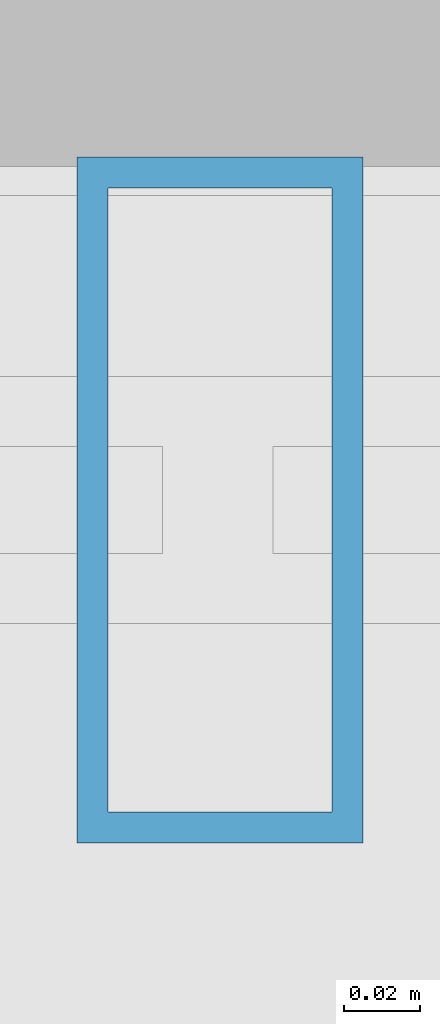
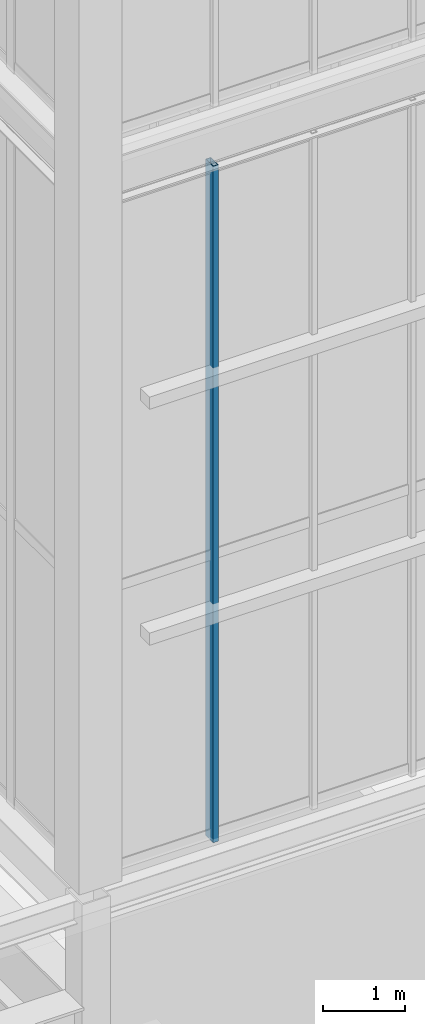
# One storey, part 32 of 135: 1 member, 1 element without a shape of its own.
"""IFC4 building model written with IfcOpenShell, lengths in metres."""

import ifcopenshell
import ifcopenshell.guid

model = None  # the IFC model being written
_history = None  # IfcOwnerHistory: only IFC2X3 demands one
_inside = {}  # id of a spatial element -> (the spatial element, [elements in it])
_under = {}  # id of a project, library or spatial element -> (it, [spatial elements below it])
_declared = {}  # id of a project -> (the project, [libraries it declares])
_typed = {}  # id of a type object -> (the type object, [elements of that type])
_made_of = {}  # id of a material, layer set ... -> (it, [elements and type objects made of it])


def new_model(schema):
    """Start an empty IFC model of exactly this schema.

    Asked for "IFC4X3", IfcOpenShell would pick the latest addendum, in which some entities
    have other attributes; the version numbers below select the first issue.
    IFC2X3 requires an IfcOwnerHistory on every rooted entity: one is made here for all.
    """
    global model, _history
    if schema == "IFC4X3":
        model = ifcopenshell.file(schema_version=(4, 3, 0, 0))
    else:
        model = ifcopenshell.file(schema=schema)
    _inside.clear()
    _under.clear()
    _declared.clear()
    _typed.clear()
    _made_of.clear()
    _history = None
    if model.schema == "IFC2X3":
        org = make("IfcOrganization", Name="unknown")
        user = make(
            "IfcPersonAndOrganization",
            ThePerson=make("IfcPerson", FamilyName="unknown"),
            TheOrganization=org,
        )
        app = make(
            "IfcApplication",
            ApplicationDeveloper=org,
            Version="unknown",
            ApplicationFullName="unknown",
            ApplicationIdentifier="unknown",
        )
        _history = make(
            "IfcOwnerHistory",
            OwningUser=user,
            OwningApplication=app,
            ChangeAction="ADDED",
            CreationDate=0,
        )
    return model


def make(cls, **values):
    """One entity of the class cls with the attributes given. An attribute that is None is left unset."""
    return model.create_entity(
        cls, **{name: value for name, value in values.items() if value is not None}
    )


def rooted(cls, **values):
    """An entity with a GlobalId (a new one), such as an element, a storey or a relation."""
    return make(cls, GlobalId=ifcopenshell.guid.new(), OwnerHistory=_history, **values)


def si_unit(unit_type, name, prefix=None):
    """IfcSIUnit, for example si_unit("LENGTHUNIT", "METRE", prefix="MILLI")."""
    return make("IfcSIUnit", UnitType=unit_type, Prefix=prefix, Name=name)


def assignment(units):
    """IfcUnitAssignment: the units of a project."""
    return None if units is None else make("IfcUnitAssignment", Units=units)


def point(xyz):
    """IfcCartesianPoint."""
    return None if xyz is None else make("IfcCartesianPoint", Coordinates=xyz)


def direction(xyz):
    """IfcDirection."""
    return None if xyz is None else make("IfcDirection", DirectionRatios=xyz)


def frame(location, z_axis=None, x_axis=None):
    """IfcAxis2Placement3D, a coordinate frame: its origin and axes. An axis left out is left unset."""
    return make(
        "IfcAxis2Placement3D",
        Location=point(location),
        Axis=direction(z_axis),
        RefDirection=direction(x_axis),
    )


def frame_2d(location, x_axis=None):
    """IfcAxis2Placement2D, a coordinate frame in the plane: its origin and x axis."""
    return make(
        "IfcAxis2Placement2D", Location=point(location), RefDirection=direction(x_axis)
    )


def origin():
    """The frame at (0, 0, 0) with its axes left unset."""
    return frame((0.0, 0.0, 0.0))


def origin_2d():
    """The frame at (0, 0) in the plane with its x axis left unset."""
    return frame_2d((0.0, 0.0))


def place(relative_to, where):
    """IfcLocalPlacement: puts the frame where relative to a parent placement (None: the world)."""
    return make(
        "IfcLocalPlacement", PlacementRelTo=relative_to, RelativePlacement=where
    )


def context(
    kind, dimensions, precision=None, world=None, true_north=None, identifier=None
):
    """IfcGeometricRepresentationContext, for example the 3D "Model" context."""
    return make(
        "IfcGeometricRepresentationContext",
        ContextIdentifier=identifier,
        ContextType=kind,
        CoordinateSpaceDimension=dimensions,
        Precision=precision,
        WorldCoordinateSystem=world,
        TrueNorth=true_north,
    )


def subcontext(parent, identifier, kind, view, scale=None):
    """IfcGeometricRepresentationSubContext, for example "Body" below "Model"."""
    return make(
        "IfcGeometricRepresentationSubContext",
        ContextIdentifier=identifier,
        ContextType=kind,
        ParentContext=parent,
        TargetScale=scale,
        TargetView=view,
    )


def project(units=None, contexts=None):
    """IfcProject with its units and contexts."""
    return rooted(
        "IfcProject",
        Name="project",
        RepresentationContexts=contexts,
        UnitsInContext=assignment(units),
    )


def spatial(cls, under=None, at=None, **own):
    """A site, building, storey or space (cls), placed at a placement, below another one or the project."""
    s = rooted(cls, ObjectPlacement=at, **own)
    if under is not None:
        _under.setdefault(under.id(), (under, []))[1].append(s)
    return s


def profile(cls, at=None, kind="AREA", **sizes):
    """A parametric profile (cls). Its sizes go by their IFC names, for example OverallWidth=200.0."""
    return make(cls, ProfileType=kind, Position=at, **sizes)


def hollow_rectangle(**sizes):
    """IfcRectangleHollowProfileDef."""
    return profile("IfcRectangleHollowProfileDef", **sizes)


def extrude(swept, where, along, depth):
    """IfcExtrudedAreaSolid: the profile swept, set in the frame where, extruded along a direction by depth."""
    return make(
        "IfcExtrudedAreaSolid",
        SweptArea=swept,
        Position=where,
        ExtrudedDirection=direction(along),
        Depth=depth,
    )


def shape(context_of_items, identifier, shape_type, items):
    """IfcShapeRepresentation: the items that make up one representation, for example the "Body"."""
    return make(
        "IfcShapeRepresentation",
        ContextOfItems=context_of_items,
        RepresentationIdentifier=identifier,
        RepresentationType=shape_type,
        Items=items,
    )


def source(mapping_origin, context_of_items, identifier, shape_type, items):
    """IfcRepresentationMap: a shape defined once, which mapped items show again and again."""
    return make(
        "IfcRepresentationMap",
        MappingOrigin=mapping_origin,
        MappedRepresentation=shape(context_of_items, identifier, shape_type, items),
    )


def transform(
    local_origin,
    x_axis=None,
    y_axis=None,
    z_axis=None,
    scale=None,
    scale2=None,
    scale3=None,
    uniform=True,
):
    """IfcCartesianTransformationOperator3D, or its non-uniform kind. x_axis, y_axis, z_axis: its Axis1, 2, 3."""
    if uniform:
        return make(
            "IfcCartesianTransformationOperator3D",
            Axis1=direction(x_axis),
            Axis2=direction(y_axis),
            LocalOrigin=point(local_origin),
            Scale=scale,
            Axis3=direction(z_axis),
        )
    return make(
        "IfcCartesianTransformationOperator3DnonUniform",
        Axis1=direction(x_axis),
        Axis2=direction(y_axis),
        LocalOrigin=point(local_origin),
        Scale=scale,
        Axis3=direction(z_axis),
        Scale2=scale2,
        Scale3=scale3,
    )


def mapped(mapping_source, mapping_target):
    """IfcMappedItem: shows the shape of a source again, moved by a transform."""
    return make(
        "IfcMappedItem", MappingSource=mapping_source, MappingTarget=mapping_target
    )


def material(Name=None, Category=None):
    """IfcMaterial."""
    return make("IfcMaterial", Name=Name, Category=Category)


def layer(
    of_material, thickness, ventilated=None, Name=None, Category=None, Priority=None
):
    """IfcMaterialLayer: one layer of a wall or slab, of a material (None: an air gap)."""
    return make(
        "IfcMaterialLayer",
        Material=of_material,
        LayerThickness=thickness,
        IsVentilated=ventilated,
        Name=Name,
        Category=Category,
        Priority=Priority,
    )


def layer_set(layers, Name=None):
    """IfcMaterialLayerSet."""
    return make("IfcMaterialLayerSet", MaterialLayers=layers, LayerSetName=Name)


def material_profile(
    of_material, cross_section, Name=None, Category=None, Priority=None
):
    """IfcMaterialProfile: a cross section and its material."""
    return make(
        "IfcMaterialProfile",
        Name=Name,
        Material=of_material,
        Profile=cross_section,
        Priority=Priority,
        Category=Category,
    )


def profile_set(profiles, Name=None, composite=None):
    """IfcMaterialProfileSet."""
    return make(
        "IfcMaterialProfileSet",
        Name=Name,
        MaterialProfiles=profiles,
        CompositeProfile=composite,
    )


def made_of(thing, what):
    """Note that an element or type object is made of a material, layer set ...; save() writes the relation."""
    if what is not None:
        _made_of.setdefault(what.id(), (what, []))[1].append(thing)
    return thing


def type_object(cls, material=None, **own):
    """A type object (cls), such as IfcWallType, which elements share."""
    return made_of(rooted(cls, **own), material)


def element(
    cls,
    number,
    at=None,
    inside=None,
    cuts=None,
    type_object=None,
    material=None,
    context=None,
    identifier="Body",
    shape_type=None,
    held_by="IfcProductDefinitionShape",
    body=None,
    shapes=None,
    **own,
):
    """One element of the class cls, such as IfcWall. Its Tag is "e" and its number.

    at: its placement. inside: the storey or other place that contains it. cuts: it is an
    opening in that element (IfcRelVoidsElement). A single representation is given by context,
    identifier, shape_type and body (its items); several are given by shapes. held_by: the class
    of the entity that holds the representations. save() writes the other relations.
    """
    e = rooted(cls, Tag="e%d" % number, ObjectPlacement=at, **own)
    if body is not None:
        shapes = [shape(context, identifier, shape_type, body)]
    if shapes is not None:
        e.Representation = make(held_by, Representations=shapes)
    if inside is not None:
        _inside.setdefault(inside.id(), (inside, []))[1].append(e)
    if cuts is not None:
        rooted(
            "IfcRelVoidsElement", RelatingBuildingElement=cuts, RelatedOpeningElement=e
        )
    if type_object is not None:
        _typed.setdefault(type_object.id(), (type_object, []))[1].append(e)
    return made_of(e, material)


def aggregate(whole, parts):
    """IfcRelAggregates: a whole, such as a stair, and the parts it consists of."""
    return rooted("IfcRelAggregates", RelatingObject=whole, RelatedObjects=parts)


def save(model, path):
    """Write the relations noted so far, then the file.

    IfcRelAggregates (storeys below a building ...), IfcRelContainedInSpatialStructure (elements
    in a storey), IfcRelDefinesByType, IfcRelAssociatesMaterial and IfcRelDeclares: one each for
    every whole, place, type object, material and project.
    """
    for whole, parts in _under.values():
        aggregate(whole, parts)
    for where, things in _inside.values():
        rooted(
            "IfcRelContainedInSpatialStructure",
            RelatedElements=things,
            RelatingStructure=where,
        )
    for kind, things in _typed.values():
        rooted("IfcRelDefinesByType", RelatedObjects=things, RelatingType=kind)
    for what, things in _made_of.values():
        rooted("IfcRelAssociatesMaterial", RelatedObjects=things, RelatingMaterial=what)
    for by, libraries in _declared.values():
        rooted("IfcRelDeclares", RelatingContext=by, RelatedDefinitions=libraries)
    model.write(path)


model = new_model("IFC4")

# Units and contexts
model_context = context("Model", 3, precision=1e-05, world=origin(), true_north=direction((0.0, 1.0)))
body_context = subcontext(model_context, "Body", "Model", "MODEL_VIEW")
ifc_project = project(units=[si_unit("LENGTHUNIT", "METRE"), si_unit("AREAUNIT", "SQUARE_METRE"), si_unit("VOLUMEUNIT", "CUBIC_METRE"), si_unit("PLANEANGLEUNIT", "RADIAN"), si_unit("MASSUNIT", "GRAM", prefix="KILO")], contexts=[model_context])

# Site, building, storey
site_placement = place(None, origin())
site = spatial("IfcSite", under=ifc_project, at=site_placement, CompositionType="ELEMENT")
building_placement = place(site_placement, origin())
building = spatial("IfcBuilding", under=site, at=building_placement, Name="Giltprow Tower", CompositionType="ELEMENT")
storey_placement = place(building_placement, frame((0.0, 0.0, 352.699951171875)))
storey = spatial("IfcBuildingStorey", under=building, at=storey_placement, Name="L92", CompositionType="ELEMENT", Elevation=352.699951171875)

# Curtain wall, member
ifc_material = material(Name="Anodized bronze", Category="metal")
ifc_layer = layer(ifc_material, 0.179931640625, Name="Anodized bronze")
ifc_layer_set = layer_set([ifc_layer], Name="Anodized bronze")
curtain_wall_type = type_object("IfcCurtainWallType", Name="CW-CROWN-LANTERN", PredefinedType="NOTDEFINED", material=ifc_layer_set)
curtain_wall_placement = place(storey_placement, origin())
curtain_wall = element("IfcCurtainWall", 1, at=curtain_wall_placement, inside=storey, type_object=curtain_wall_type, Name="Crown East Lower Lantern Glazing 1", PredefinedType="NOTDEFINED")
ifc_material_profile = material_profile(ifc_material, hollow_rectangle(XDim=0.074951171875, YDim=0.179931640625, WallThickness=0.008056640625, at=origin_2d()), Name="RHS 180x75x8")
ifc_profile_set = profile_set([ifc_material_profile], Name="Anodized bronze")
member_type = type_object("IfcMemberType", Name="CW-MULLION-180x75", PredefinedType="MULLION", material=ifc_profile_set)
shared_shape = source(origin(), body_context, "Body", "SweptSolid", [
    extrude(hollow_rectangle(XDim=0.074951171875, YDim=0.179931640625, WallThickness=0.008056640625, at=origin_2d()), origin(), (0.0, 0.0, 1.0), 10.030029296875),
])
member_placement = place(storey_placement, frame((46.0380859375, 23.5, 6.35009765625), z_axis=(0.0, 0.0, 1.0), x_axis=(1.0, 0.0, 0.0)))
member = element("IfcMember", 2, at=member_placement, type_object=member_type, Name="Crown East Lower Lantern Glazing 1 Mullion 2", PredefinedType="MULLION", context=body_context, shape_type="MappedRepresentation", body=[
    mapped(shared_shape, transform((0.0, 0.0, 0.0), x_axis=(1.0, 0.0, 0.0), y_axis=(0.0, 1.0, 0.0), z_axis=(0.0, 0.0, 1.0), scale=1.0)),
])
aggregate(curtain_wall, [member])

save(model, "model.ifc")
